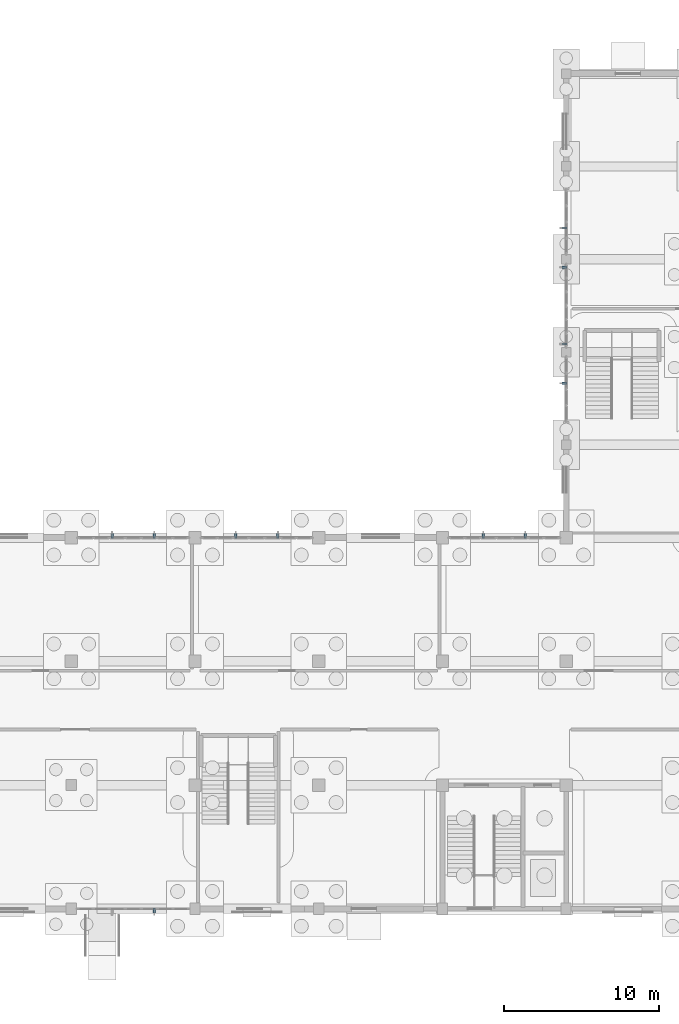
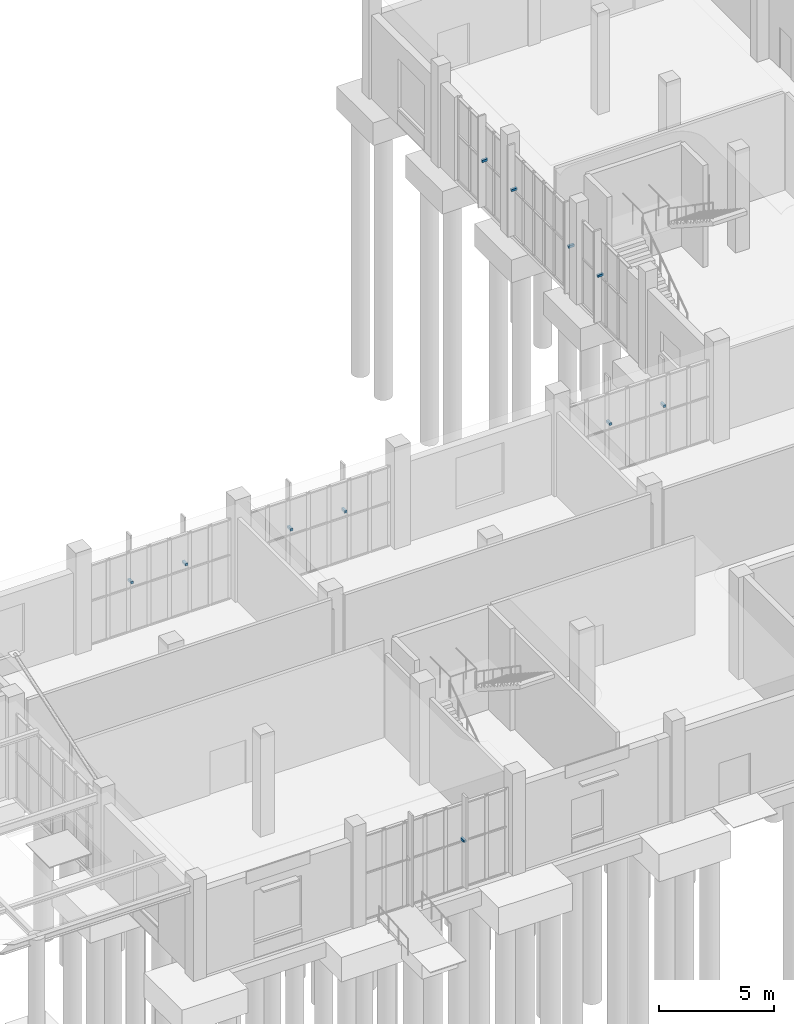
# One storey, part 55 of 69: 11 discrete accessories.
"""IFC4 building model written with IfcOpenShell, lengths in metres."""

from ifc_helpers import new_model, si_unit, direction, frame, origin, origin_2d, place, context, subcontext, project, spatial, rectangle, extrude, material, type_object, element, save


model = new_model("IFC4")

# Units and contexts
model_context = context("Model", 3, precision=1e-05, world=origin(), true_north=direction((0.0, 1.0)))
body_context = subcontext(model_context, "Body", "Model", "MODEL_VIEW")
ifc_project = project(units=[si_unit("LENGTHUNIT", "METRE"), si_unit("AREAUNIT", "SQUARE_METRE"), si_unit("VOLUMEUNIT", "CUBIC_METRE"), si_unit("PLANEANGLEUNIT", "RADIAN"), si_unit("MASSUNIT", "GRAM", prefix="KILO")], contexts=[model_context])

# Site, building, storey
site_placement = place(None, origin())
site = spatial("IfcSite", under=ifc_project, at=site_placement, CompositionType="ELEMENT")
building_placement = place(site_placement, origin())
building = spatial("IfcBuilding", under=site, at=building_placement, Name="Solvane Community Centre", CompositionType="ELEMENT")
storey_placement = place(building_placement, origin())
storey = spatial("IfcBuildingStorey", under=building, at=storey_placement, Name="L00", CompositionType="ELEMENT", Elevation=0.0)

# Discrete accessories
ifc_material = material(Name="Steel ASTM A572 Grade 50", Category="steel")
discrete_accessory_type = type_object("IfcDiscreteAccessoryType", Name="Fin Mounting Bracket 120x120", PredefinedType="BRACKET", material=ifc_material)
for number, where, z_axis, x_axis, name in (
    (1, (81.360107421875, 5.89990234375, 2.52001953125), (0.0, 0.0, 1.0), (-1.0, 0.0, 0.0), "Fin Bracket 1"),
    (2, (78.639892578125, 30.10009765625, 2.52001953125), (0.0, 0.0, 1.0), (1.0, 0.0, 0.0), "Fin Bracket 21"),
    (3, (81.360107421875, 30.10009765625, 2.52001953125), (0.0, 0.0, 1.0), (1.0, 0.0, 0.0), "Fin Bracket 22"),
    (4, (86.639892578125, 30.10009765625, 2.52001953125), (0.0, 0.0, 1.0), (1.0, 0.0, 0.0), "Fin Bracket 23"),
    (5, (89.360107421875, 30.10009765625, 2.52001953125), (0.0, 0.0, 1.0), (1.0, 0.0, 0.0), "Fin Bracket 24"),
    (6, (102.639892578125, 30.10009765625, 2.52001953125), (0.0, 0.0, 1.0), (1.0, 0.0, 0.0), "Fin Bracket 25"),
    (7, (105.360107421875, 30.10009765625, 2.52001953125), (0.0, 0.0, 1.0), (1.0, 0.0, 0.0), "Fin Bracket 26"),
    (8, (107.89990234375, 39.97509765625, 2.52001953125), (0.0, 0.0, 1.0), (0.0, 1.0, 0.0), "Fin Bracket 27"),
    (9, (107.89990234375, 42.52490234375, 2.52001953125), (0.0, 0.0, 1.0), (0.0, 1.0, 0.0), "Fin Bracket 28"),
    (10, (107.89990234375, 47.47509765625, 2.52001953125), (0.0, 0.0, 1.0), (0.0, 1.0, 0.0), "Fin Bracket 29"),
    (11, (107.89990234375, 50.02490234375, 2.52001953125), (0.0, 0.0, 1.0), (0.0, 1.0, 0.0), "Fin Bracket 30"),
):
    element("IfcDiscreteAccessory", number, at=place(storey_placement, frame(where, z_axis=z_axis, x_axis=x_axis)), inside=storey, type_object=discrete_accessory_type, Name=name, PredefinedType="BRACKET", context=body_context, shape_type="SweptSolid", body=[
        extrude(rectangle(XDim=0.1201171875, YDim=0.300048828125, at=origin_2d()), origin(), (0.0, 0.0, 1.0), 0.1201171875),
    ])

save(model, "model.ifc")
